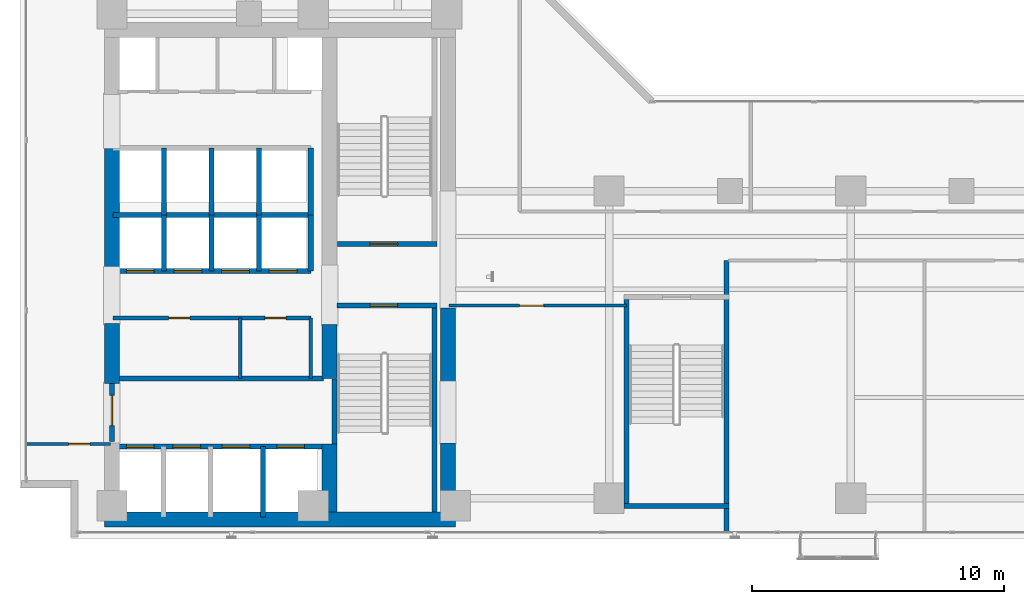
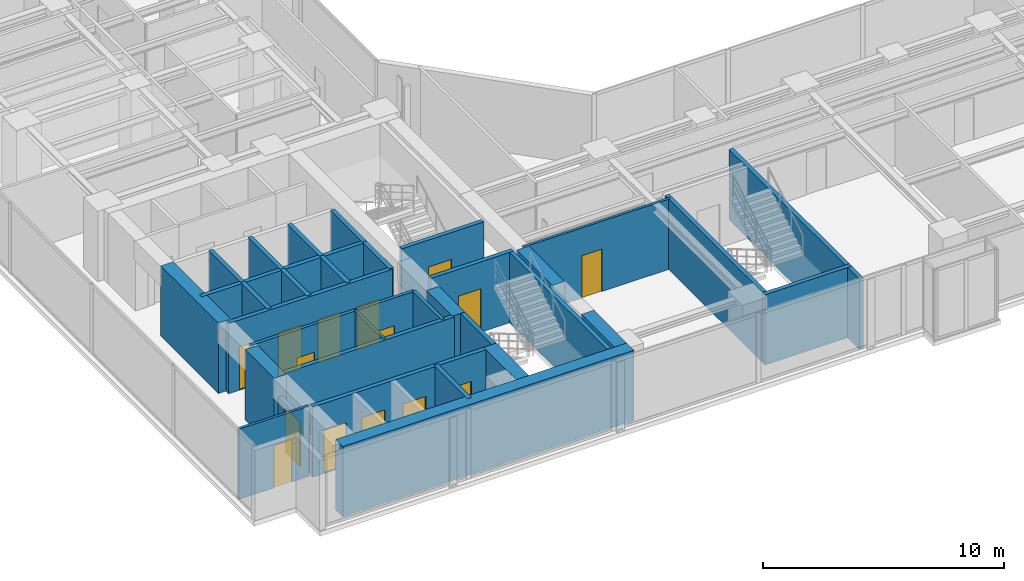
# One storey, part 20 of 27: 33 walls, 15 doors, 15 openings.
"""IFC4 building model written with IfcOpenShell, lengths in metres."""

from ifc_helpers import new_model, si_unit, direction, frame, frame_2d, origin, place, context, subcontext, project, spatial, rectangle, extrude, material, layer, layer_set, type_object, element, fill, save


model = new_model("IFC4")

# Units and contexts
model_context = context("Model", 3, precision=1e-05, world=origin(), true_north=direction((0.0, 1.0)))
body_context = subcontext(model_context, "Body", "Model", "MODEL_VIEW")
ifc_project = project(units=[si_unit("LENGTHUNIT", "METRE"), si_unit("AREAUNIT", "SQUARE_METRE"), si_unit("VOLUMEUNIT", "CUBIC_METRE"), si_unit("PLANEANGLEUNIT", "RADIAN"), si_unit("MASSUNIT", "GRAM", prefix="KILO")], contexts=[model_context])

# Site, building, storey
site_placement = place(None, origin())
site = spatial("IfcSite", under=ifc_project, at=site_placement, CompositionType="ELEMENT")
building_placement = place(site_placement, origin())
building = spatial("IfcBuilding", under=site, at=building_placement, Name="Kolvaren Waterfront Exchange", CompositionType="ELEMENT")
storey_placement = place(building_placement, frame((0.0, 0.0, 191.800048828125)))
storey = spatial("IfcBuildingStorey", under=building, at=storey_placement, Name="L49", CompositionType="ELEMENT", Elevation=191.800048828125)

# Wall, opening, door
ifc_material_1 = material(Name="Precast concrete C40/50", Category="concrete")
ifc_layer_1 = layer(ifc_material_1, 0.199951171875, Name="Precast concrete C40/50")
ifc_layer_set_1 = layer_set([ifc_layer_1], Name="Precast concrete C40/50")
wall_type_1 = type_object("IfcWallType", Name="ARC-FIRE-200", PredefinedType="PARTITIONING", material=ifc_layer_set_1)
wall_1_placement = place(storey_placement, frame((16.39990234375, 12.85009765625, 0.0), z_axis=(0.0, 0.0, 1.0), x_axis=(1.0, 0.0, 0.0)))
wall_1 = element("IfcWall", 1, at=wall_1_placement, inside=storey, type_object=wall_type_1, Name="L49 interior wall PW-L49-ST1-THROAT-S", PredefinedType="PARTITIONING", context=body_context, shape_type="SweptSolid", body=[
    extrude(rectangle(XDim=3.960205078125, YDim=0.199951171875, at=frame_2d((1.97998046875, 0.0))), origin(), (0.0, 0.0, 1.0), 3.56005859375),
])
opening_1_placement = place(wall_1_placement, frame((1.3037109375, 0.0, 0.0)))
opening_1 = element("IfcOpeningElement", 2, at=opening_1_placement, cuts=wall_1, Name="Opening FD2", PredefinedType="OPENING", context=body_context, shape_type="SweptSolid", body=[
    extrude(rectangle(XDim=1.10009765625, YDim=2.199951171875, at=frame_2d((0.550048828125, 1.10009765625))), frame((0.0, 0.10986328125, 0.0), z_axis=(0.0, -1.0, 0.0), x_axis=(1.0, 0.0, 0.0)), (0.0, 0.0, 1.0), 0.219970703125),
])
ifc_material_2 = material(Name="Pressed steel smoke-seal fire door", Category="steel")
door_type_1 = type_object("IfcDoorType", Name="ARC-FD-1100", OperationType="NOTDEFINED", PredefinedType="DOOR", material=ifc_material_2)
door_1_placement = place(opening_1_placement, frame((1.10009765625, 0.0, 0.0), z_axis=(0.0, 0.0, 1.0), x_axis=(-1.0, 0.0, 0.0)))
door_1 = element("IfcDoor", 3, at=door_1_placement, inside=storey, type_object=door_type_1, Name="L49 door DR-L49-ST1-IN (FD2)", OperationType="SINGLE_SWING_RIGHT", OverallHeight=2.199951171875, OverallWidth=1.10009765625, PredefinedType="DOOR", context=body_context, shape_type="SweptSolid", body=[
    extrude(rectangle(XDim=1.10009765625, YDim=2.199951171875, at=frame_2d((0.550048828125, 1.10009765625))), frame((0.0, 0.02490234375, 0.0), z_axis=(0.0, -1.0, 0.0), x_axis=(1.0, 0.0, 0.0)), (0.0, 0.0, 1.0), 0.050048828125),
])
fill(opening_1, door_1)

wall_2_placement = place(storey_placement, frame((16.409912109375, 15.300048828125, 0.0), z_axis=(0.0, 0.0, 1.0), x_axis=(1.0, 0.0, 0.0)))
wall_2 = element("IfcWall", 4, at=wall_2_placement, inside=storey, type_object=wall_type_1, Name="L49 interior wall PW-L49-ST2-THROAT-N", PredefinedType="PARTITIONING", context=body_context, shape_type="SweptSolid", body=[
    extrude(rectangle(XDim=3.9501953125, YDim=0.199951171875, at=frame_2d((1.97509765625, 0.0))), origin(), (0.0, 0.0, 1.0), 3.56005859375),
])
opening_2_placement = place(wall_2_placement, frame((1.293701171875, 0.0, 0.0)))
opening_2 = element("IfcOpeningElement", 5, at=opening_2_placement, cuts=wall_2, Name="Opening FD2", PredefinedType="OPENING", context=body_context, shape_type="SweptSolid", body=[
    extrude(rectangle(XDim=1.10009765625, YDim=2.199951171875, at=frame_2d((0.550048828125, 1.10009765625))), frame((0.0, 0.10986328125, 0.0), z_axis=(0.0, -1.0, 0.0), x_axis=(1.0, 0.0, 0.0)), (0.0, 0.0, 1.0), 0.219970703125),
])
door_2_placement = place(opening_2_placement, origin())
door_2 = element("IfcDoor", 6, at=door_2_placement, inside=storey, type_object=door_type_1, Name="L49 door DR-L49-ST2-IN (FD2)", OperationType="SINGLE_SWING_LEFT", OverallHeight=2.199951171875, OverallWidth=1.10009765625, PredefinedType="DOOR", context=body_context, shape_type="SweptSolid", body=[
    extrude(rectangle(XDim=1.10009765625, YDim=2.199951171875, at=frame_2d((0.550048828125, 1.10009765625))), frame((0.0, 0.02490234375, 0.0), z_axis=(0.0, -1.0, 0.0), x_axis=(1.0, 0.0, 0.0)), (0.0, 0.0, 1.0), 0.050048828125),
])
fill(opening_2, door_2)

# Wall
wall_3_placement = place(storey_placement, frame((7.5, 9.949951171875, 0.0), z_axis=(0.0, 0.0, 1.0), x_axis=(1.0, 0.0, 0.0)))
element("IfcWall", 7, at=wall_3_placement, inside=storey, type_object=wall_type_1, Name="L49 interior wall PW-L49-FF-N", PredefinedType="PARTITIONING", context=body_context, shape_type="SweptSolid", body=[
    extrude(rectangle(XDim=8.35009765625, YDim=0.199951171875, at=frame_2d((4.175048828125, 0.0))), origin(), (0.0, 0.0, 1.0), 3.56005859375),
])

# Wall, opening, door
wall_4_placement = place(storey_placement, frame((7.449951171875, 7.449951171875, 0.0), z_axis=(0.0, 0.0, 1.0), x_axis=(0.0, 1.0, 0.0)))
wall_4 = element("IfcWall", 8, at=wall_4_placement, inside=storey, type_object=wall_type_1, Name="L49 interior wall PW-L49-FF-W-DOOR", PredefinedType="PARTITIONING", context=body_context, shape_type="SweptSolid", body=[
    extrude(rectangle(XDim=2.300048828125, YDim=0.199951171875, at=frame_2d((1.14990234375, 0.0))), origin(), (0.0, 0.0, 1.0), 2.5400390625),
])
opening_3_placement = place(wall_4_placement, frame((0.63330078125, 0.0, 0.0)))
opening_3 = element("IfcOpeningElement", 9, at=opening_3_placement, cuts=wall_4, Name="Opening FD3", PredefinedType="OPENING", context=body_context, shape_type="SweptSolid", body=[
    extrude(rectangle(XDim=1.199951171875, YDim=2.25, at=frame_2d((0.60009765625, 1.125))), frame((0.0, 0.10986328125, 0.0), z_axis=(0.0, -1.0, 0.0), x_axis=(1.0, 0.0, 0.0)), (0.0, 0.0, 1.0), 0.219970703125),
])
ifc_material_3 = material(Name="Pressed steel fire door", Category="steel")
door_type_2 = type_object("IfcDoorType", Name="ARC-FD-1200", OperationType="NOTDEFINED", PredefinedType="DOOR", material=ifc_material_3)
door_3_placement = place(opening_3_placement, frame((1.199951171875, 0.0, 0.0), z_axis=(0.0, 0.0, 1.0), x_axis=(-1.0, 0.0, 0.0)))
door_3 = element("IfcDoor", 10, at=door_3_placement, inside=storey, type_object=door_type_2, Name="L49 door DR-L49-FF-OUT (FD3)", OperationType="SINGLE_SWING_LEFT", OverallHeight=2.25, OverallWidth=1.199951171875, PredefinedType="DOOR", context=body_context, shape_type="SweptSolid", body=[
    extrude(rectangle(XDim=1.199951171875, YDim=2.25, at=frame_2d((0.60009765625, 1.125))), frame((0.0, 0.02490234375, 0.0), z_axis=(0.0, -1.0, 0.0), x_axis=(1.0, 0.0, 0.0)), (0.0, 0.0, 1.0), 0.050048828125),
])
fill(opening_3, door_3)

# Wall
ifc_material_4 = material(Name="Acoustic gypsum steel stud", Category="steel")
ifc_layer_2 = layer(ifc_material_4, 0.125, Name="Acoustic gypsum steel stud")
ifc_layer_set_2 = layer_set([ifc_layer_2], Name="Acoustic gypsum steel stud")
wall_type_2 = type_object("IfcWallType", Name="ARC-PART-125", PredefinedType="PARTITIONING", material=ifc_layer_set_2)
wall_5_placement = place(storey_placement, frame((12.550048828125, 9.949951171875, 0.0), z_axis=(0.0, 0.0, 1.0), x_axis=(0.0, 1.0, 0.0)))
element("IfcWall", 11, at=wall_5_placement, inside=storey, type_object=wall_type_2, Name="L49 interior wall PW-L49-REC-PL-MID", PredefinedType="PARTITIONING", context=body_context, shape_type="SweptSolid", body=[
    extrude(rectangle(XDim=2.41015625, YDim=0.125, at=frame_2d((1.205078125, 0.0))), origin(), (0.0, 0.0, 1.0), 3.56005859375),
])

# Wall, opening, door
wall_6_placement = place(storey_placement, frame((4.0400390625, 7.35009765625, 0.0), z_axis=(0.0, 0.0, 1.0), x_axis=(1.0, 0.0, 0.0)))
wall_6 = element("IfcWall", 12, at=wall_6_placement, inside=storey, type_object=wall_type_2, Name="L49 interior wall PW-L49-SWC-N", PredefinedType="PARTITIONING", context=body_context, shape_type="SweptSolid", body=[
    extrude(rectangle(XDim=3.35986328125, YDim=0.125, at=frame_2d((1.679931640625, 0.0))), origin(), (0.0, 0.0, 1.0), 3.56005859375),
])
opening_4_placement = place(wall_6_placement, frame((1.686767578125, 0.0, 0.0)))
opening_4 = element("IfcOpeningElement", 13, at=opening_4_placement, cuts=wall_6, Name="Opening D01", PredefinedType="OPENING", context=body_context, shape_type="SweptSolid", body=[
    extrude(rectangle(XDim=0.85009765625, YDim=2.14990234375, at=frame_2d((0.425048828125, 1.074951171875))), frame((0.0, 0.072509765625, 0.0), z_axis=(0.0, -1.0, 0.0), x_axis=(1.0, 0.0, 0.0)), (0.0, 0.0, 1.0), 0.14501953125),
])
ifc_material_5 = material(Name="Oak veneer timber leaf", Category="wood")
door_type_3 = type_object("IfcDoorType", Name="ARC-DR-900", OperationType="NOTDEFINED", PredefinedType="DOOR", material=ifc_material_5)
door_4_placement = place(opening_4_placement, origin())
door_4 = element("IfcDoor", 14, at=door_4_placement, inside=storey, type_object=door_type_3, Name="L49 door DR-L49-SWC-D (D01)", OperationType="SINGLE_SWING_RIGHT", OverallHeight=2.14990234375, OverallWidth=0.85009765625, PredefinedType="DOOR", context=body_context, shape_type="SweptSolid", body=[
    extrude(rectangle(XDim=0.85009765625, YDim=2.14990234375, at=frame_2d((0.425048828125, 1.074951171875))), frame((0.0, 0.02490234375, 0.0), z_axis=(0.0, -1.0, 0.0), x_axis=(1.0, 0.0, 0.0)), (0.0, 0.0, 1.0), 0.050048828125),
])
fill(opening_4, door_4)

wall_7_placement = place(storey_placement, frame((20.85009765625, 12.85009765625, 0.0), z_axis=(0.0, 0.0, 1.0), x_axis=(1.0, 0.0, 0.0)))
wall_7 = element("IfcWall", 15, at=wall_7_placement, inside=storey, type_object=wall_type_2, Name="L49 interior wall PW-L49-SWST3-N", PredefinedType="PARTITIONING", context=body_context, shape_type="SweptSolid", body=[
    extrude(rectangle(XDim=7.0498046875, YDim=0.125, at=frame_2d((3.52490234375, 0.0))), origin(), (0.0, 0.0, 1.0), 3.56005859375),
])
opening_5_placement = place(wall_7_placement, frame((2.800048828125, 0.0, 0.0)))
opening_5 = element("IfcOpeningElement", 16, at=opening_5_placement, cuts=wall_7, Name="Opening D02", PredefinedType="OPENING", context=body_context, shape_type="SweptSolid", body=[
    extrude(rectangle(XDim=0.949951171875, YDim=2.14990234375, at=frame_2d((0.47509765625, 1.074951171875))), frame((0.0, 0.072509765625, 0.0), z_axis=(0.0, -1.0, 0.0), x_axis=(1.0, 0.0, 0.0)), (0.0, 0.0, 1.0), 0.14501953125),
])
ifc_material_6 = material(Name="Oak veneer acoustic timber", Category="wood")
door_type_4 = type_object("IfcDoorType", Name="ARC-DR-950", OperationType="NOTDEFINED", PredefinedType="DOOR", material=ifc_material_6)
door_5_placement = place(opening_5_placement, origin())
door_5 = element("IfcDoor", 17, at=door_5_placement, inside=storey, type_object=door_type_4, Name="L49 door DR-L49-SWST3-D (D02)", OperationType="SINGLE_SWING_LEFT", OverallHeight=2.14990234375, OverallWidth=0.949951171875, PredefinedType="DOOR", context=body_context, shape_type="SweptSolid", body=[
    extrude(rectangle(XDim=0.949951171875, YDim=2.14990234375, at=frame_2d((0.47509765625, 1.074951171875))), frame((0.0, 0.02490234375, 0.0), z_axis=(0.0, -1.0, 0.0), x_axis=(1.0, 0.0, 0.0)), (0.0, 0.0, 1.0), 0.050048828125),
])
fill(opening_5, door_5)

# Wall, openings, doors
ifc_material_7 = material(Name="Gypsum fireboard steel stud", Category="steel")
ifc_layer_3 = layer(ifc_material_7, 0.14990234375, Name="Gypsum fireboard steel stud")
ifc_layer_set_3 = layer_set([ifc_layer_3], Name="Gypsum fireboard steel stud")
wall_type_3 = type_object("IfcWallType", Name="ARC-PART-150", PredefinedType="PARTITIONING", material=ifc_layer_set_3)
wall_8_placement = place(storey_placement, frame((7.5, 12.360107421875, 0.0), z_axis=(0.0, 0.0, 1.0), x_axis=(1.0, 0.0, 0.0)))
wall_8 = element("IfcWall", 18, at=wall_8_placement, inside=storey, type_object=wall_type_3, Name="L49 interior wall PW-L49-REC-PL-N", PredefinedType="PARTITIONING", context=body_context, shape_type="SweptSolid", body=[
    extrude(rectangle(XDim=7.85009765625, YDim=0.14990234375, at=frame_2d((3.925048828125, 0.0))), origin(), (0.0, 0.0, 1.0), 3.56005859375),
])
opening_6_placement = place(wall_8_placement, frame((2.202392578125, 0.0, 0.0)))
opening_6 = element("IfcOpeningElement", 19, at=opening_6_placement, cuts=wall_8, Name="Opening D01", PredefinedType="OPENING", context=body_context, shape_type="SweptSolid", body=[
    extrude(rectangle(XDim=0.85009765625, YDim=2.14990234375, at=frame_2d((0.425048828125, 1.074951171875))), frame((0.0, 0.0849609375, 0.0), z_axis=(0.0, -1.0, 0.0), x_axis=(1.0, 0.0, 0.0)), (0.0, 0.0, 1.0), 0.169921875),
])
opening_7_placement = place(wall_8_placement, frame((6.02490234375, 0.0, 0.0)))
opening_7 = element("IfcOpeningElement", 20, at=opening_7_placement, cuts=wall_8, Name="Opening D01", PredefinedType="OPENING", context=body_context, shape_type="SweptSolid", body=[
    extrude(rectangle(XDim=0.85009765625, YDim=2.14990234375, at=frame_2d((0.425048828125, 1.074951171875))), frame((0.0, 0.0849609375, 0.0), z_axis=(0.0, -1.0, 0.0), x_axis=(1.0, 0.0, 0.0)), (0.0, 0.0, 1.0), 0.169921875),
])
door_6_placement = place(opening_6_placement, origin())
door_6 = element("IfcDoor", 21, at=door_6_placement, inside=storey, type_object=door_type_3, Name="L49 door DR-L49-REC-PL-D1 (D01)", OperationType="SINGLE_SWING_RIGHT", OverallHeight=2.14990234375, OverallWidth=0.85009765625, PredefinedType="DOOR", context=body_context, shape_type="SweptSolid", body=[
    extrude(rectangle(XDim=0.85009765625, YDim=2.14990234375, at=frame_2d((0.425048828125, 1.074951171875))), frame((0.0, 0.02490234375, 0.0), z_axis=(0.0, -1.0, 0.0), x_axis=(1.0, 0.0, 0.0)), (0.0, 0.0, 1.0), 0.050048828125),
])
fill(opening_6, door_6)
door_7_placement = place(opening_7_placement, origin())
door_7 = element("IfcDoor", 22, at=door_7_placement, inside=storey, type_object=door_type_3, Name="L49 door DR-L49-REC-PL-D2 (D01)", OperationType="SINGLE_SWING_LEFT", OverallHeight=2.14990234375, OverallWidth=0.85009765625, PredefinedType="DOOR", context=body_context, shape_type="SweptSolid", body=[
    extrude(rectangle(XDim=0.85009765625, YDim=2.14990234375, at=frame_2d((0.425048828125, 1.074951171875))), frame((0.0, 0.02490234375, 0.0), z_axis=(0.0, -1.0, 0.0), x_axis=(1.0, 0.0, 0.0)), (0.0, 0.0, 1.0), 0.050048828125),
])
fill(opening_7, door_7)

# Walls
wall_9_placement = place(storey_placement, frame((15.35009765625, 9.949951171875, 0.0), z_axis=(0.0, 0.0, 1.0), x_axis=(0.0, 1.0, 0.0)))
element("IfcWall", 23, at=wall_9_placement, inside=storey, type_object=wall_type_3, Name="L49 interior wall PW-L49-REC-PL-E", PredefinedType="PARTITIONING", context=body_context, shape_type="SweptSolid", body=[
    extrude(rectangle(XDim=2.41015625, YDim=0.14990234375, at=frame_2d((1.205078125, 0.0))), origin(), (0.0, 0.0, 1.0), 3.56005859375),
])
ifc_material_8 = material(Name="Concrete C40/50", Category="concrete")
ifc_layer_4 = layer(ifc_material_8, 0.199951171875, Name="Concrete C40/50")
ifc_layer_set_4 = layer_set([ifc_layer_4], Name="Concrete C40/50")
wall_type_4 = type_object("IfcWallType", Name="ARC-SHAFT-200", PredefinedType="PARTITIONING", material=ifc_layer_set_4)
wall_10_placement = place(storey_placement, frame((16.300048828125, 7.360107421875, 0.0), z_axis=(0.0, 0.0, 1.0), x_axis=(0.0, 1.0, 0.0)))
element("IfcWall", 24, at=wall_10_placement, inside=storey, type_object=wall_type_4, Name="L49 structural stairwell wall PW-L49-ST1-W", PredefinedType="SHEAR", context=body_context, shape_type="SweptSolid", body=[
    extrude(rectangle(XDim=2.579833984375, YDim=0.199951171875, at=frame_2d((1.2900390625, 0.0))), origin(), (0.0, 0.0, 1.0), 3.56005859375),
])
wall_11_placement = place(storey_placement, frame((20.260009765625, 4.659912109375, 0.0), z_axis=(0.0, 0.0, 1.0), x_axis=(0.0, 1.0, 0.0)))
element("IfcWall", 25, at=wall_11_placement, inside=storey, type_object=wall_type_4, Name="L49 structural stairwell wall PW-L49-ST1-E", PredefinedType="SHEAR", context=body_context, shape_type="SweptSolid", body=[
    extrude(rectangle(XDim=8.090087890625, YDim=0.199951171875, at=frame_2d((4.044921875, 0.0))), origin(), (0.0, 0.0, 1.0), 3.56005859375),
])
wall_12_placement = place(storey_placement, frame((27.89990234375, 5.0, 0.0), z_axis=(0.0, 0.0, 1.0), x_axis=(0.0, 1.0, 0.0)))
element("IfcWall", 26, at=wall_12_placement, inside=storey, type_object=wall_type_4, Name="L49 structural stairwell wall PW-L49-ST3-W", PredefinedType="SHEAR", context=body_context, shape_type="SweptSolid", body=[
    extrude(rectangle(XDim=8.10009765625, YDim=0.199951171875, at=frame_2d((4.050048828125, 0.0))), origin(), (0.0, 0.0, 1.0), 3.56005859375),
])
wall_13_placement = place(storey_placement, frame((31.860107421875, 3.840087890625, 0.0), z_axis=(0.0, 0.0, 1.0), x_axis=(0.0, 1.0, 0.0)))
element("IfcWall", 27, at=wall_13_placement, inside=storey, type_object=wall_type_4, Name="L49 structural stairwell wall PW-L49-ST3-E", PredefinedType="SHEAR", context=body_context, shape_type="SweptSolid", body=[
    extrude(rectangle(XDim=10.809814453125, YDim=0.199951171875, at=frame_2d((5.40478515625, 0.0))), origin(), (0.0, 0.0, 1.0), 3.56005859375),
])
wall_14_placement = place(storey_placement, frame((27.800048828125, 4.89990234375, 0.0), z_axis=(0.0, 0.0, 1.0), x_axis=(1.0, 0.0, 0.0)))
element("IfcWall", 28, at=wall_14_placement, inside=storey, type_object=wall_type_4, Name="L49 structural stairwell wall PW-L49-ST3-S", PredefinedType="SHEAR", context=body_context, shape_type="SweptSolid", body=[
    extrude(rectangle(XDim=4.159912109375, YDim=0.199951171875, at=frame_2d((2.080078125, 0.0))), origin(), (0.0, 0.0, 1.0), 3.56005859375),
])

# Wall, openings, doors
wall_15_placement = place(storey_placement, frame((7.5, 7.25, 0.0), z_axis=(0.0, 0.0, 1.0), x_axis=(1.0, 0.0, 0.0)))
wall_15 = element("IfcWall", 29, at=wall_15_placement, inside=storey, type_object=wall_type_4, Name="L49 interior wall PW-L49-FF-S", PredefinedType="PARTITIONING", context=body_context, shape_type="SweptSolid", body=[
    extrude(rectangle(XDim=8.35009765625, YDim=0.199951171875, at=frame_2d((4.175048828125, 0.0))), origin(), (0.0, 0.0, 1.0), 3.56005859375),
])
opening_8_placement = place(wall_15_placement, frame((0.530029296875, 0.0, 0.0)))
opening_8 = element("IfcOpeningElement", 30, at=opening_8_placement, cuts=wall_15, Name="Opening LD1", PredefinedType="OPENING", context=body_context, shape_type="SweptSolid", body=[
    extrude(rectangle(XDim=1.10009765625, YDim=2.199951171875, at=frame_2d((0.550048828125, 1.10009765625))), frame((0.0, 0.10986328125, 0.0), z_axis=(0.0, -1.0, 0.0), x_axis=(1.0, 0.0, 0.0)), (0.0, 0.0, 1.0), 0.219970703125),
])
opening_9_placement = place(wall_15_placement, frame((2.3701171875, 0.0, 0.0)))
opening_9 = element("IfcOpeningElement", 31, at=opening_9_placement, cuts=wall_15, Name="Opening LD1", PredefinedType="OPENING", context=body_context, shape_type="SweptSolid", body=[
    extrude(rectangle(XDim=1.10009765625, YDim=2.199951171875, at=frame_2d((0.550048828125, 1.10009765625))), frame((0.0, 0.10986328125, 0.0), z_axis=(0.0, -1.0, 0.0), x_axis=(1.0, 0.0, 0.0)), (0.0, 0.0, 1.0), 0.219970703125),
])
opening_10_placement = place(wall_15_placement, frame((4.330078125, 0.0, 0.0)))
opening_10 = element("IfcOpeningElement", 32, at=opening_10_placement, cuts=wall_15, Name="Opening LD1", PredefinedType="OPENING", context=body_context, shape_type="SweptSolid", body=[
    extrude(rectangle(XDim=1.10009765625, YDim=2.199951171875, at=frame_2d((0.550048828125, 1.10009765625))), frame((0.0, 0.10986328125, 0.0), z_axis=(0.0, -1.0, 0.0), x_axis=(1.0, 0.0, 0.0)), (0.0, 0.0, 1.0), 0.219970703125),
])
opening_11_placement = place(wall_15_placement, frame((6.5, 0.0, 0.0)))
opening_11 = element("IfcOpeningElement", 33, at=opening_11_placement, cuts=wall_15, Name="Opening LD1", PredefinedType="OPENING", context=body_context, shape_type="SweptSolid", body=[
    extrude(rectangle(XDim=1.10009765625, YDim=2.199951171875, at=frame_2d((0.550048828125, 1.10009765625))), frame((0.0, 0.10986328125, 0.0), z_axis=(0.0, -1.0, 0.0), x_axis=(1.0, 0.0, 0.0)), (0.0, 0.0, 1.0), 0.219970703125),
])
ifc_material_9 = material(Name="Stainless steel sliding landing door", Category="steel")
door_type_5 = type_object("IfcDoorType", Name="ARC-LD-FF", OperationType="SLIDING_TO_LEFT", PredefinedType="DOOR", material=ifc_material_9)
door_8_placement = place(opening_8_placement, origin())
door_8 = element("IfcDoor", 34, at=door_8_placement, inside=storey, type_object=door_type_5, Name="L49 door LD-L49-FFL1 (LD1)", OperationType="SLIDING_TO_LEFT", OverallHeight=2.199951171875, OverallWidth=1.10009765625, PredefinedType="DOOR", context=body_context, shape_type="SweptSolid", body=[
    extrude(rectangle(XDim=1.10009765625, YDim=2.199951171875, at=frame_2d((0.550048828125, 1.10009765625))), frame((0.0, 0.02490234375, 0.0), z_axis=(0.0, -1.0, 0.0), x_axis=(1.0, 0.0, 0.0)), (0.0, 0.0, 1.0), 0.050048828125),
])
fill(opening_8, door_8)
door_9_placement = place(opening_9_placement, origin())
door_9 = element("IfcDoor", 35, at=door_9_placement, inside=storey, type_object=door_type_5, Name="L49 door LD-L49-FFL2 (LD1)", OperationType="SLIDING_TO_LEFT", OverallHeight=2.199951171875, OverallWidth=1.10009765625, PredefinedType="DOOR", context=body_context, shape_type="SweptSolid", body=[
    extrude(rectangle(XDim=1.10009765625, YDim=2.199951171875, at=frame_2d((0.550048828125, 1.10009765625))), frame((0.0, 0.02490234375, 0.0), z_axis=(0.0, -1.0, 0.0), x_axis=(1.0, 0.0, 0.0)), (0.0, 0.0, 1.0), 0.050048828125),
])
fill(opening_9, door_9)
door_10_placement = place(opening_10_placement, origin())
door_10 = element("IfcDoor", 36, at=door_10_placement, inside=storey, type_object=door_type_5, Name="L49 door LD-L49-GL1 (LD1)", OperationType="SLIDING_TO_LEFT", OverallHeight=2.199951171875, OverallWidth=1.10009765625, PredefinedType="DOOR", context=body_context, shape_type="SweptSolid", body=[
    extrude(rectangle(XDim=1.10009765625, YDim=2.199951171875, at=frame_2d((0.550048828125, 1.10009765625))), frame((0.0, 0.02490234375, 0.0), z_axis=(0.0, -1.0, 0.0), x_axis=(1.0, 0.0, 0.0)), (0.0, 0.0, 1.0), 0.050048828125),
])
fill(opening_10, door_10)
door_11_placement = place(opening_11_placement, origin())
door_11 = element("IfcDoor", 37, at=door_11_placement, inside=storey, type_object=door_type_5, Name="L49 door LD-L49-GL2 (LD1)", OperationType="SLIDING_TO_LEFT", OverallHeight=2.199951171875, OverallWidth=1.10009765625, PredefinedType="DOOR", context=body_context, shape_type="SweptSolid", body=[
    extrude(rectangle(XDim=1.10009765625, YDim=2.199951171875, at=frame_2d((0.550048828125, 1.10009765625))), frame((0.0, 0.02490234375, 0.0), z_axis=(0.0, -1.0, 0.0), x_axis=(1.0, 0.0, 0.0)), (0.0, 0.0, 1.0), 0.050048828125),
])
fill(opening_11, door_11)

# Wall
wall_16_placement = place(storey_placement, frame((13.4599609375, 4.449951171875, 0.0), z_axis=(0.0, 0.0, 1.0), x_axis=(0.0, 1.0, 0.0)))
element("IfcWall", 38, at=wall_16_placement, inside=storey, type_object=wall_type_4, Name="L49 interior wall PW-L49-SH1-DIV-134", PredefinedType="PARTITIONING", context=body_context, shape_type="SweptSolid", body=[
    extrude(rectangle(XDim=2.800048828125, YDim=0.199951171875, at=frame_2d((1.39990234375, 0.0))), origin(), (0.0, 0.0, 1.0), 3.56005859375),
])

# Wall, openings, doors
wall_17_placement = place(storey_placement, frame((7.5, 14.219970703125, 0.0), z_axis=(0.0, 0.0, 1.0), x_axis=(1.0, 0.0, 0.0)))
wall_17 = element("IfcWall", 39, at=wall_17_placement, inside=storey, type_object=wall_type_4, Name="L49 interior wall PW-L49-PM-S", PredefinedType="PARTITIONING", context=body_context, shape_type="SweptSolid", body=[
    extrude(rectangle(XDim=7.85009765625, YDim=0.199951171875, at=frame_2d((3.925048828125, 0.0))), origin(), (0.0, 0.0, 1.0), 3.56005859375),
])
opening_12_placement = place(wall_17_placement, frame((0.530029296875, 0.0, 0.0)))
opening_12 = element("IfcOpeningElement", 40, at=opening_12_placement, cuts=wall_17, Name="Opening LD2", PredefinedType="OPENING", context=body_context, shape_type="SweptSolid", body=[
    extrude(rectangle(XDim=1.10009765625, YDim=2.199951171875, at=frame_2d((0.550048828125, 1.10009765625))), frame((0.0, 0.10986328125, 0.0), z_axis=(0.0, -1.0, 0.0), x_axis=(1.0, 0.0, 0.0)), (0.0, 0.0, 1.0), 0.219970703125),
])
opening_13_placement = place(wall_17_placement, frame((2.419921875, 0.0, 0.0)))
opening_13 = element("IfcOpeningElement", 41, at=opening_13_placement, cuts=wall_17, Name="Opening LD2", PredefinedType="OPENING", context=body_context, shape_type="SweptSolid", body=[
    extrude(rectangle(XDim=1.10009765625, YDim=2.199951171875, at=frame_2d((0.550048828125, 1.10009765625))), frame((0.0, 0.10986328125, 0.0), z_axis=(0.0, -1.0, 0.0), x_axis=(1.0, 0.0, 0.0)), (0.0, 0.0, 1.0), 0.219970703125),
])
opening_14_placement = place(wall_17_placement, frame((4.31005859375, 0.0, 0.0)))
opening_14 = element("IfcOpeningElement", 42, at=opening_14_placement, cuts=wall_17, Name="Opening LD2", PredefinedType="OPENING", context=body_context, shape_type="SweptSolid", body=[
    extrude(rectangle(XDim=1.10009765625, YDim=2.199951171875, at=frame_2d((0.550048828125, 1.10009765625))), frame((0.0, 0.10986328125, 0.0), z_axis=(0.0, -1.0, 0.0), x_axis=(1.0, 0.0, 0.0)), (0.0, 0.0, 1.0), 0.219970703125),
])
opening_15_placement = place(wall_17_placement, frame((6.199951171875, 0.0, 0.0)))
opening_15 = element("IfcOpeningElement", 43, at=opening_15_placement, cuts=wall_17, Name="Opening LD2", PredefinedType="OPENING", context=body_context, shape_type="SweptSolid", body=[
    extrude(rectangle(XDim=1.10009765625, YDim=2.199951171875, at=frame_2d((0.550048828125, 1.10009765625))), frame((0.0, 0.10986328125, 0.0), z_axis=(0.0, -1.0, 0.0), x_axis=(1.0, 0.0, 0.0)), (0.0, 0.0, 1.0), 0.219970703125),
])
ifc_material_10 = material(Name="Brushed bronze sliding landing door", Category="aluminium")
door_type_6 = type_object("IfcDoorType", Name="ARC-LD-PAX", OperationType="SLIDING_TO_LEFT", PredefinedType="DOOR", material=ifc_material_10)
door_12_placement = place(opening_12_placement, frame((1.10009765625, 0.0, 0.0), z_axis=(0.0, 0.0, 1.0), x_axis=(-1.0, 0.0, 0.0)))
door_12 = element("IfcDoor", 44, at=door_12_placement, inside=storey, type_object=door_type_6, Name="L49 door LD-L49-PM1 (LD2)", OperationType="SLIDING_TO_LEFT", OverallHeight=2.199951171875, OverallWidth=1.10009765625, PredefinedType="DOOR", context=body_context, shape_type="SweptSolid", body=[
    extrude(rectangle(XDim=1.10009765625, YDim=2.199951171875, at=frame_2d((0.550048828125, 1.10009765625))), frame((0.0, 0.02490234375, 0.0), z_axis=(0.0, -1.0, 0.0), x_axis=(1.0, 0.0, 0.0)), (0.0, 0.0, 1.0), 0.050048828125),
])
fill(opening_12, door_12)
door_13_placement = place(opening_13_placement, frame((1.10009765625, 0.0, 0.0), z_axis=(0.0, 0.0, 1.0), x_axis=(-1.0, 0.0, 0.0)))
door_13 = element("IfcDoor", 45, at=door_13_placement, inside=storey, type_object=door_type_6, Name="L49 door LD-L49-PM2 (LD2)", OperationType="SLIDING_TO_LEFT", OverallHeight=2.199951171875, OverallWidth=1.10009765625, PredefinedType="DOOR", context=body_context, shape_type="SweptSolid", body=[
    extrude(rectangle(XDim=1.10009765625, YDim=2.199951171875, at=frame_2d((0.550048828125, 1.10009765625))), frame((0.0, 0.02490234375, 0.0), z_axis=(0.0, -1.0, 0.0), x_axis=(1.0, 0.0, 0.0)), (0.0, 0.0, 1.0), 0.050048828125),
])
fill(opening_13, door_13)
door_14_placement = place(opening_14_placement, frame((1.10009765625, 0.0, 0.0), z_axis=(0.0, 0.0, 1.0), x_axis=(-1.0, 0.0, 0.0)))
door_14 = element("IfcDoor", 46, at=door_14_placement, inside=storey, type_object=door_type_6, Name="L49 door LD-L49-PM3 (LD2)", OperationType="SLIDING_TO_LEFT", OverallHeight=2.199951171875, OverallWidth=1.10009765625, PredefinedType="DOOR", context=body_context, shape_type="SweptSolid", body=[
    extrude(rectangle(XDim=1.10009765625, YDim=2.199951171875, at=frame_2d((0.550048828125, 1.10009765625))), frame((0.0, 0.02490234375, 0.0), z_axis=(0.0, -1.0, 0.0), x_axis=(1.0, 0.0, 0.0)), (0.0, 0.0, 1.0), 0.050048828125),
])
fill(opening_14, door_14)
door_15_placement = place(opening_15_placement, frame((1.10009765625, 0.0, 0.0), z_axis=(0.0, 0.0, 1.0), x_axis=(-1.0, 0.0, 0.0)))
door_15 = element("IfcDoor", 47, at=door_15_placement, inside=storey, type_object=door_type_6, Name="L49 door LD-L49-PM4 (LD2)", OperationType="SLIDING_TO_LEFT", OverallHeight=2.199951171875, OverallWidth=1.10009765625, PredefinedType="DOOR", context=body_context, shape_type="SweptSolid", body=[
    extrude(rectangle(XDim=1.10009765625, YDim=2.199951171875, at=frame_2d((0.550048828125, 1.10009765625))), frame((0.0, 0.02490234375, 0.0), z_axis=(0.0, -1.0, 0.0), x_axis=(1.0, 0.0, 0.0)), (0.0, 0.0, 1.0), 0.050048828125),
])
fill(opening_15, door_15)

# Walls
wall_18_placement = place(storey_placement, frame((7.5, 16.449951171875, 0.0), z_axis=(0.0, 0.0, 1.0), x_axis=(1.0, 0.0, 0.0)))
element("IfcWall", 48, at=wall_18_placement, inside=storey, type_object=wall_type_4, Name="L49 interior wall PW-L49-PM-N", PredefinedType="PARTITIONING", context=body_context, shape_type="SweptSolid", body=[
    extrude(rectangle(XDim=7.85009765625, YDim=0.199951171875, at=frame_2d((3.925048828125, 0.0))), origin(), (0.0, 0.0, 1.0), 3.56005859375),
])
for number, where, z_axis, x_axis, name in (
    (49, (15.35009765625, 14.219970703125, 0.0), (0.0, 0.0, 1.0), (0.0, 1.0, 0.0), "L49 interior wall PW-L49-PM-E"),
    (50, (9.52001953125, 14.219970703125, 0.0), (0.0, 0.0, 1.0), (0.0, 1.0, 0.0), "L49 interior wall PW-L49-SH3-DIV-95"),
    (51, (11.409912109375, 14.219970703125, 0.0), (0.0, 0.0, 1.0), (0.0, 1.0, 0.0), "L49 interior wall PW-L49-SH3-DIV-114"),
    (52, (13.300048828125, 14.219970703125, 0.0), (0.0, 0.0, 1.0), (0.0, 1.0, 0.0), "L49 interior wall PW-L49-SH3-DIV-133"),
):
    element("IfcWall", number, at=place(storey_placement, frame(where, z_axis=z_axis, x_axis=x_axis)), inside=storey, type_object=wall_type_4, Name=name, PredefinedType="PARTITIONING", context=body_context, shape_type="SweptSolid", body=[
        extrude(rectangle(XDim=2.22998046875, YDim=0.199951171875, at=frame_2d((1.114990234375, 0.0))), origin(), (0.0, 0.0, 1.0), 3.56005859375),
    ])
for number, where, z_axis, x_axis, name in (
    (53, (15.35009765625, 16.449951171875, 0.0), (0.0, 0.0, 1.0), (0.0, 1.0, 0.0), "L49 interior wall PW-L49-PH-E"),
    (54, (9.52001953125, 16.449951171875, 0.0), (0.0, 0.0, 1.0), (0.0, 1.0, 0.0), "L49 interior wall PW-L49-SH4-DIV-95"),
    (55, (11.409912109375, 16.449951171875, 0.0), (0.0, 0.0, 1.0), (0.0, 1.0, 0.0), "L49 interior wall PW-L49-SH4-DIV-114"),
    (56, (13.300048828125, 16.449951171875, 0.0), (0.0, 0.0, 1.0), (0.0, 1.0, 0.0), "L49 interior wall PW-L49-SH4-DIV-133"),
):
    element("IfcWall", number, at=place(storey_placement, frame(where, z_axis=z_axis, x_axis=x_axis)), inside=storey, type_object=wall_type_4, Name=name, PredefinedType="PARTITIONING", context=body_context, shape_type="SweptSolid", body=[
        extrude(rectangle(XDim=2.670166015625, YDim=0.199951171875, at=frame_2d((1.3349609375, 0.0))), origin(), (0.0, 0.0, 1.0), 3.56005859375),
    ])
ifc_material_11 = material(Name="Concrete C60/75", Category="concrete")
ifc_layer_5 = layer(ifc_material_11, 0.60009765625, Name="Concrete C60/75")
ifc_layer_set_5 = layer_set([ifc_layer_5], Name="Concrete C60/75")
wall_type_5 = type_object("IfcWallType", Name="STR-CWALL-600", PredefinedType="SHEAR", material=ifc_layer_set_5)
wall_19_placement = place(storey_placement, frame((7.14990234375, 4.35009765625, 0.0), z_axis=(0.0, 0.0, 1.0), x_axis=(1.0, 0.0, 0.0)))
element("IfcWall", 57, at=wall_19_placement, inside=storey, type_object=wall_type_5, Name="L49 rear-core shear wall S", PredefinedType="SHEAR", context=body_context, shape_type="SweptSolid", body=[
    extrude(rectangle(XDim=13.9501953125, YDim=0.60009765625, at=frame_2d((6.97509765625, 0.0))), origin(), (0.0, 0.0, 1.0), 3.56005859375),
])
wall_20_placement = place(storey_placement, frame((7.449951171875, 9.75, 0.0), z_axis=(0.0, 0.0, 1.0), x_axis=(0.0, 1.0, 0.0)))
element("IfcWall", 58, at=wall_20_placement, inside=storey, type_object=wall_type_5, Name="L49 rear-core shear wall W2A", PredefinedType="SHEAR", context=body_context, shape_type="SweptSolid", body=[
    extrude(rectangle(XDim=2.39990234375, YDim=0.60009765625, at=frame_2d((1.199951171875, 0.0))), origin(), (0.0, 0.0, 1.0), 3.56005859375),
])
wall_21_placement = place(storey_placement, frame((7.449951171875, 14.35009765625, 0.0), z_axis=(0.0, 0.0, 1.0), x_axis=(0.0, 1.0, 0.0)))
element("IfcWall", 59, at=wall_21_placement, inside=storey, type_object=wall_type_5, Name="L49 rear-core shear wall W2B", PredefinedType="SHEAR", context=body_context, shape_type="SweptSolid", body=[
    extrude(rectangle(XDim=4.809814453125, YDim=0.60009765625, at=frame_2d((2.40478515625, 0.0))), origin(), (0.0, 0.0, 1.0), 3.56005859375),
])
wall_22_placement = place(storey_placement, frame((20.800048828125, 4.64990234375, 0.0), z_axis=(0.0, 0.0, 1.0), x_axis=(0.0, 1.0, 0.0)))
element("IfcWall", 60, at=wall_22_placement, inside=storey, type_object=wall_type_5, Name="L49 rear-core shear wall E1", PredefinedType="SHEAR", context=body_context, shape_type="SweptSolid", body=[
    extrude(rectangle(XDim=2.75, YDim=0.60009765625, at=frame_2d((1.375, 0.0))), origin(), (0.0, 0.0, 1.0), 3.56005859375),
])
wall_23_placement = place(storey_placement, frame((20.800048828125, 9.800048828125, 0.0), z_axis=(0.0, 0.0, 1.0), x_axis=(0.0, 1.0, 0.0)))
element("IfcWall", 61, at=wall_23_placement, inside=storey, type_object=wall_type_5, Name="L49 rear-core shear wall E2", PredefinedType="SHEAR", context=body_context, shape_type="SweptSolid", body=[
    extrude(rectangle(XDim=2.949951171875, YDim=0.60009765625, at=frame_2d((1.47509765625, 0.0))), origin(), (0.0, 0.0, 1.0), 3.56005859375),
])
wall_24_placement = place(storey_placement, frame((16.10009765625, 4.64990234375, 0.0), z_axis=(0.0, 0.0, 1.0), x_axis=(0.0, 1.0, 0.0)))
element("IfcWall", 62, at=wall_24_placement, inside=storey, type_object=wall_type_5, Name="L49 rear-core shear wall M1", PredefinedType="SHEAR", context=body_context, shape_type="SweptSolid", body=[
    extrude(rectangle(XDim=2.7001953125, YDim=0.60009765625, at=frame_2d((1.35009765625, 0.0))), origin(), (0.0, 0.0, 1.0), 3.56005859375),
])
wall_25_placement = place(storey_placement, frame((16.10009765625, 9.949951171875, 0.0), z_axis=(0.0, 0.0, 1.0), x_axis=(0.0, 1.0, 0.0)))
element("IfcWall", 63, at=wall_25_placement, inside=storey, type_object=wall_type_5, Name="L49 rear-core shear wall M2", PredefinedType="SHEAR", context=body_context, shape_type="SweptSolid", body=[
    extrude(rectangle(XDim=2.150146484375, YDim=0.60009765625, at=frame_2d((1.0751953125, 0.0))), origin(), (0.0, 0.0, 1.0), 3.56005859375),
])

save(model, "model.ifc")
